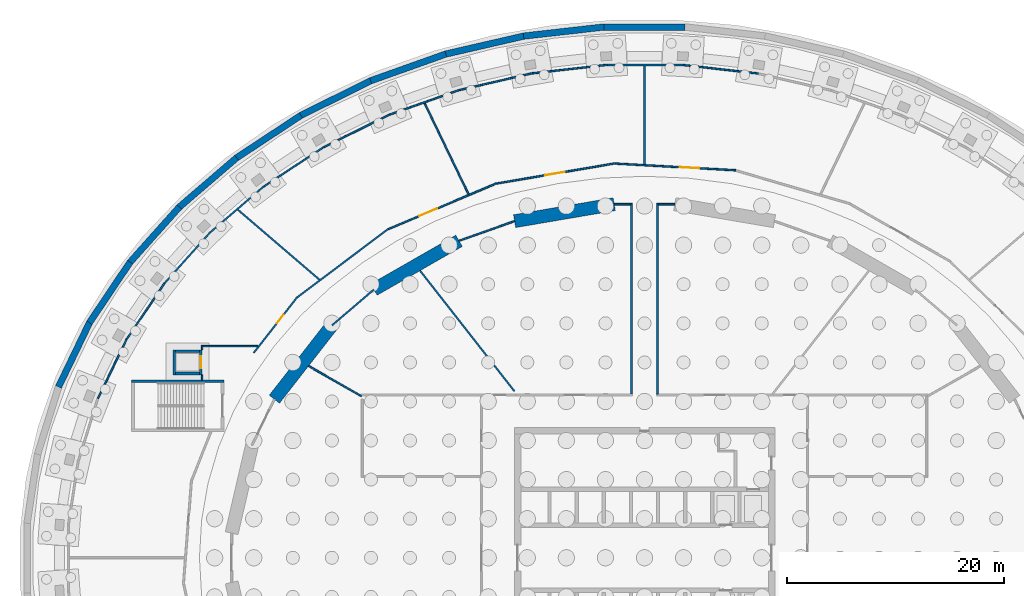
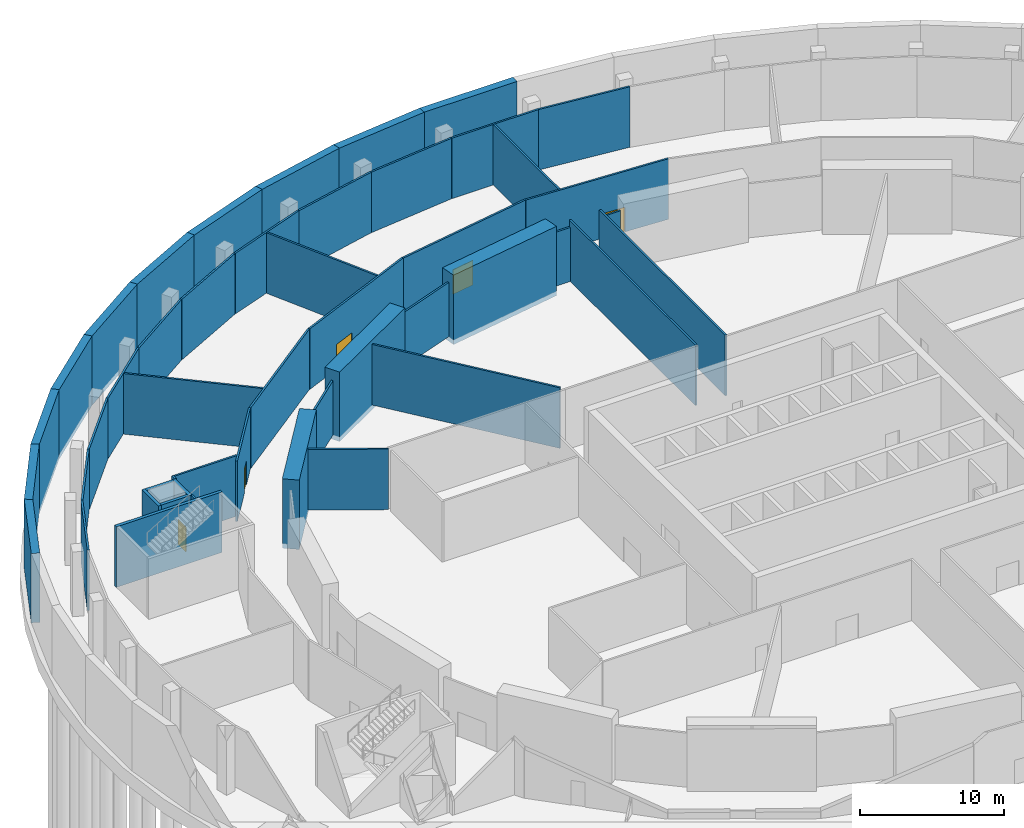
# One storey, part 11 of 15: 48 walls, 5 doors, 5 openings.
"""IFC4 building model written with IfcOpenShell, lengths in metres."""

from ifc_helpers import new_model, si_unit, direction, frame, frame_2d, origin, place, context, subcontext, project, spatial, polyline, rectangle, outline, extrude, material, layer, layer_set, type_object, element, fill, save


model = new_model("IFC4")

# Units and contexts
model_context = context("Model", 3, precision=1e-05, world=origin(), true_north=direction((0.0, 1.0)))
body_context = subcontext(model_context, "Body", "Model", "MODEL_VIEW")
ifc_project = project(units=[si_unit("LENGTHUNIT", "METRE"), si_unit("AREAUNIT", "SQUARE_METRE"), si_unit("VOLUMEUNIT", "CUBIC_METRE"), si_unit("PLANEANGLEUNIT", "RADIAN"), si_unit("MASSUNIT", "GRAM", prefix="KILO")], contexts=[model_context])

# Site, building, storey
site_placement = place(None, origin())
site = spatial("IfcSite", under=ifc_project, at=site_placement, CompositionType="ELEMENT")
building_placement = place(site_placement, origin())
building = spatial("IfcBuilding", under=site, at=building_placement, Name="Halqa Exchange Tower", CompositionType="ELEMENT")
storey_placement = place(building_placement, frame((0.0, 0.0, -15.0)))
storey = spatial("IfcBuildingStorey", under=building, at=storey_placement, Name="B3", CompositionType="ELEMENT", Elevation=-15.0)

# Walls
ifc_material_1 = material(Name="Fire-rated gypsum board")
ifc_layer_1 = layer(ifc_material_1, 0.14990234375)
ifc_layer_set_1 = layer_set([ifc_layer_1], Name="Fire-rated gypsum board")
wall_type_1 = type_object("IfcWallType", Name="Fire partition EI 60 150", PredefinedType="PARTITIONING", material=ifc_layer_set_1)
wall_1_placement = place(storey_placement, frame((-50.351806640625, 14.669189453125, 0.0), z_axis=(0.0, 0.0, 1.0), x_axis=(0.434723306584, 0.900564071409, 0.0)))
element("IfcWall", 1, at=wall_1_placement, inside=storey, type_object=wall_type_1, Name="B3-PWL-006", PredefinedType="PARTITIONING", context=body_context, shape_type="SweptSolid", body=[
    extrude(rectangle(XDim=6.09619140625, YDim=0.14990234375, at=frame_2d((3.048095703125, 0.0))), origin(), (0.0, 0.0, 1.0), 5.14990234375),
])
wall_2_placement = place(storey_placement, frame((-47.69091796875, 20.153076171875, 0.0), z_axis=(0.0, 0.0, 1.0), x_axis=(0.558812320082, 0.829294152231, 0.0)))
element("IfcWall", 2, at=wall_2_placement, inside=storey, type_object=wall_type_1, Name="B3-PWL-007", PredefinedType="PARTITIONING", context=body_context, shape_type="SweptSolid", body=[
    extrude(rectangle(XDim=6.2099609375, YDim=0.14990234375, at=frame_2d((3.10498046875, 0.0))), origin(), (0.0, 0.0, 1.0), 5.14990234375),
])
wall_3_placement = place(storey_placement, frame((-44.211181640625, 25.29541015625, 0.0), z_axis=(0.0, 0.0, 1.0), x_axis=(0.6673947824, 0.744704105283, 0.0)))
element("IfcWall", 3, at=wall_3_placement, inside=storey, type_object=wall_type_1, Name="B3-PWL-010", PredefinedType="PARTITIONING", context=body_context, shape_type="SweptSolid", body=[
    extrude(rectangle(XDim=6.338134765625, YDim=0.14990234375, at=frame_2d((3.1689453125, 0.0))), origin(), (0.0, 0.0, 1.0), 5.14990234375),
])
wall_4_placement = place(storey_placement, frame((-40.75, 16.3740234375, 0.0), z_axis=(0.0, 0.0, 1.0), x_axis=(0.0, 1.0, 0.0)))
element("IfcWall", 4, at=wall_4_placement, inside=storey, type_object=wall_type_1, Name="B3-PWL-017", PredefinedType="PARTITIONING", context=body_context, shape_type="SweptSolid", body=[
    extrude(rectangle(XDim=0.47607421875, YDim=0.14990234375, at=frame_2d((0.238037109375, 0.0))), origin(), (0.0, 0.0, 1.0), 5.14990234375),
])
wall_5_placement = place(storey_placement, frame((-40.75, 19.14990234375, 0.0), z_axis=(0.0, 0.0, 1.0), x_axis=(0.0, 1.0, 0.0)))
element("IfcWall", 5, at=wall_5_placement, inside=storey, type_object=wall_type_1, Name="B3-PWL-018", PredefinedType="PARTITIONING", context=body_context, shape_type="SweptSolid", body=[
    extrude(rectangle(XDim=0.425048828125, YDim=0.14990234375, at=frame_2d((0.21240234375, 0.0))), origin(), (0.0, 0.0, 1.0), 5.14990234375),
])
wall_6_placement = place(storey_placement, frame((-40.675048828125, 19.5, 0.0), z_axis=(0.0, 0.0, 1.0), x_axis=(1.0, 0.0, 0.0)))
element("IfcWall", 6, at=wall_6_placement, inside=storey, type_object=wall_type_1, Name="B3-PWL-019", PredefinedType="PARTITIONING", context=body_context, shape_type="SweptSolid", body=[
    extrude(rectangle(XDim=5.068115234375, YDim=0.14990234375, at=frame_2d((2.5341796875, 0.0))), origin(), (0.0, 0.0, 1.0), 5.14990234375),
])
wall_7_placement = place(storey_placement, frame((-39.97314453125, 30.00732421875, 0.0), z_axis=(0.0, 0.0, 1.0), x_axis=(0.759038455419, 0.651045791934, 0.0)))
element("IfcWall", 7, at=wall_7_placement, inside=storey, type_object=wall_type_1, Name="B3-PWL-022", PredefinedType="PARTITIONING", context=body_context, shape_type="SweptSolid", body=[
    extrude(rectangle(XDim=6.479248046875, YDim=0.14990234375, at=frame_2d((3.23974609375, 0.0))), origin(), (0.0, 0.0, 1.0), 5.14990234375),
])

# Wall, opening, door
wall_8_placement = place(storey_placement, frame((-35.99609375, 18.880859375, 0.0), z_axis=(0.0, 0.0, 1.0), x_axis=(0.615457986142, 0.788169694478, 0.0)))
wall_8 = element("IfcWall", 8, at=wall_8_placement, inside=storey, type_object=wall_type_1, Name="B3-PWL-028", PredefinedType="PARTITIONING", context=body_context, shape_type="SweptSolid", body=[
    extrude(rectangle(XDim=6.544921875, YDim=0.14990234375, at=frame_2d((3.2724609375, 0.0))), origin(), (0.0, 0.0, 1.0), 5.14990234375),
])
opening_1_placement = place(wall_8_placement, frame((3.453857421875, 0.0, 0.0)))
opening_1 = element("IfcOpeningElement", 9, at=opening_1_placement, cuts=wall_8, Name="Opening B3-27", PredefinedType="OPENING", context=body_context, shape_type="SweptSolid", body=[
    extrude(rectangle(XDim=1.0, YDim=2.10009765625, at=frame_2d((0.5, 1.050048828125))), frame((0.0, 0.0869140625, 0.0), z_axis=(0.0, -1.0, 0.0), x_axis=(1.0, 0.0, 0.0)), (0.0, 0.0, 1.0), 0.173828125),
])
ifc_material_2 = material(Name="Steel fire door leaf", Category="steel")
door_type_1 = type_object("IfcDoorType", Name="Fire door FD30S 1000 x 2100", OperationType="SINGLE_SWING_LEFT", PredefinedType="DOOR", material=ifc_material_2)
door_1_placement = place(opening_1_placement, origin())
door_1 = element("IfcDoor", 10, at=door_1_placement, inside=storey, type_object=door_type_1, Name="B3-IDR-027", OperationType="SINGLE_SWING_RIGHT", OverallHeight=2.10009765625, OverallWidth=1.0, PredefinedType="DOOR", context=body_context, shape_type="SweptSolid", body=[
    extrude(rectangle(XDim=1.0, YDim=2.10009765625, at=frame_2d((0.5, 1.050048828125))), frame((0.0, 0.02490234375, 0.0), z_axis=(0.0, -1.0, 0.0), x_axis=(1.0, 0.0, 0.0)), (0.0, 0.0, 1.0), 0.050048828125),
])
fill(opening_1, door_1)

# Walls
wall_9_placement = place(storey_placement, frame((-35.048583984375, 34.217041015625, 0.0), z_axis=(0.0, 0.0, 1.0), x_axis=(0.83553583791, 0.549435950378, 0.0)))
element("IfcWall", 11, at=wall_9_placement, inside=storey, type_object=wall_type_1, Name="B3-PWL-030", PredefinedType="PARTITIONING", context=body_context, shape_type="SweptSolid", body=[
    extrude(rectangle(XDim=6.6064453125, YDim=0.14990234375, at=frame_2d((3.30322265625, 0.0))), origin(), (0.0, 0.0, 1.0), 5.14990234375),
])
wall_10_placement = place(storey_placement, frame((-31.947265625, 24.022216796875, 0.0), z_axis=(0.0, 0.0, 1.0), x_axis=(0.799194171191, 0.601072937949, 0.0)))
element("IfcWall", 12, at=wall_10_placement, inside=storey, type_object=wall_type_1, Name="B3-PWL-032", PredefinedType="PARTITIONING", context=body_context, shape_type="SweptSolid", body=[
    extrude(rectangle(XDim=10.443603515625, YDim=0.14990234375, at=frame_2d((5.2216796875, 0.0))), origin(), (0.0, 0.0, 1.0), 5.14990234375),
])
wall_11_placement = place(storey_placement, frame((-29.947265625, 25.619140625, 0.0), z_axis=(0.0, 0.0, 1.0), x_axis=(-0.759265306208, 0.650781218836, 0.0)))
element("IfcWall", 13, at=wall_11_placement, inside=storey, type_object=wall_type_1, Name="B3-PWL-034", PredefinedType="PARTITIONING", context=body_context, shape_type="SweptSolid", body=[
    extrude(outline(polyline([(-0.0166015625, -0.074951171875), (9.888427734375, -0.074951171875), (9.911376953125, 0.074951171875), (0.0166015625, 0.074951171875), (-0.0166015625, -0.074951171875)])), origin(), (0.0, 0.0, 1.0), 5.14990234375),
])
wall_12_placement = place(storey_placement, frame((-29.5234375, 37.837890625, 0.0), z_axis=(0.0, 0.0, 1.0), x_axis=(0.895909442692, 0.444236727991, 0.0)))
element("IfcWall", 14, at=wall_12_placement, inside=storey, type_object=wall_type_1, Name="B3-PWL-036", PredefinedType="PARTITIONING", context=body_context, shape_type="SweptSolid", body=[
    extrude(rectangle(XDim=6.730712890625, YDim=0.14990234375, at=frame_2d((3.365234375, 0.0))), origin(), (0.0, 0.0, 1.0), 5.14990234375),
])
wall_13_placement = place(storey_placement, frame((-26.07421875, 14.88232421875, 0.0), z_axis=(0.0, 0.0, 1.0), x_axis=(-0.868133416031, 0.496330909746, 0.0)))
element("IfcWall", 15, at=wall_13_placement, inside=storey, type_object=wall_type_1, Name="B3-PWL-043", PredefinedType="PARTITIONING", context=body_context, shape_type="SweptSolid", body=[
    extrude(outline(polyline([(0.0, -0.074951171875), (5.604248046875, -0.074951171875), (5.625732421875, 0.074951171875), (0.0, 0.074951171875), (0.0, -0.074951171875)])), origin(), (0.0, 0.0, 1.0), 5.14990234375),
])
wall_14_placement = place(storey_placement, frame((-24.931884765625, 24.70849609375, 0.0), z_axis=(0.0, 0.0, 1.0), x_axis=(-0.760084552743, -0.649824185978, 0.0)))
element("IfcWall", 16, at=wall_14_placement, inside=storey, type_object=wall_type_1, Name="B3-PWL-045", PredefinedType="PARTITIONING", context=body_context, shape_type="SweptSolid", body=[
    extrude(outline(polyline([(-0.01416015625, -0.074951171875), (5.09033203125, -0.074951171875), (5.0595703125, 0.074951171875), (0.01416015625, 0.074951171875), (-0.01416015625, -0.074951171875)])), origin(), (0.0, 0.0, 1.0), 4.60009765625),
])

# Wall, opening, door
wall_15_placement = place(storey_placement, frame((-23.58642578125, 30.279541015625, 0.0), z_axis=(0.0, 0.0, 1.0), x_axis=(0.920903415875, 0.389790839591, 0.0)))
wall_15 = element("IfcWall", 17, at=wall_15_placement, inside=storey, type_object=wall_type_1, Name="B3-PWL-046", PredefinedType="PARTITIONING", context=body_context, shape_type="SweptSolid", body=[
    extrude(rectangle(XDim=10.822998046875, YDim=0.14990234375, at=frame_2d((5.41162109375, 0.0))), origin(), (0.0, 0.0, 1.0), 5.14990234375),
])
opening_2_placement = place(wall_15_placement, frame((3.09130859375, 0.0, 0.0)))
opening_2 = element("IfcOpeningElement", 18, at=opening_2_placement, cuts=wall_15, Name="Opening B3-26", PredefinedType="OPENING", context=body_context, shape_type="SweptSolid", body=[
    extrude(rectangle(XDim=1.800048828125, YDim=2.10009765625, at=frame_2d((0.89990234375, 1.050048828125))), frame((0.0, 0.0869140625, 0.0), z_axis=(0.0, -1.0, 0.0), x_axis=(1.0, 0.0, 0.0)), (0.0, 0.0, 1.0), 0.173828125),
])
door_type_2 = type_object("IfcDoorType", Name="Fire door FD30S double 1800 x 2100", OperationType="DOUBLE_DOOR_SINGLE_SWING", PredefinedType="DOOR", material=ifc_material_2)
door_2_placement = place(opening_2_placement, frame((1.800048828125, 0.0, 0.0), z_axis=(0.0, 0.0, 1.0), x_axis=(-1.0, 0.0, 0.0)))
door_2 = element("IfcDoor", 19, at=door_2_placement, inside=storey, type_object=door_type_2, Name="B3-IDR-026", OperationType="DOUBLE_DOOR_SINGLE_SWING", OverallHeight=2.10009765625, OverallWidth=1.800048828125, PredefinedType="DOOR", context=body_context, shape_type="SweptSolid", body=[
    extrude(rectangle(XDim=1.800048828125, YDim=2.10009765625, at=frame_2d((0.89990234375, 1.050048828125))), frame((0.0, 0.02490234375, 0.0), z_axis=(0.0, -1.0, 0.0), x_axis=(1.0, 0.0, 0.0)), (0.0, 0.0, 1.0), 0.050048828125),
])
fill(opening_2, door_2)

# Walls
wall_16_placement = place(storey_placement, frame((-23.489501953125, 40.818603515625, 0.0), z_axis=(0.0, 0.0, 1.0), x_axis=(0.942678523295, 0.333702265079, 0.0)))
element("IfcWall", 20, at=wall_16_placement, inside=storey, type_object=wall_type_1, Name="B3-PWL-049", PredefinedType="PARTITIONING", context=body_context, shape_type="SweptSolid", body=[
    extrude(rectangle(XDim=6.831787109375, YDim=0.14990234375, at=frame_2d((3.416015625, 0.0))), origin(), (0.0, 0.0, 1.0), 5.14990234375),
])
wall_17_placement = place(storey_placement, frame((-20.679931640625, 26.449951171875, 0.0), z_axis=(0.0, 0.0, 1.0), x_axis=(0.616465586388, -0.787381851962, 0.0)))
element("IfcWall", 21, at=wall_17_placement, inside=storey, type_object=wall_type_1, Name="B3-PWL-051", PredefinedType="PARTITIONING", context=body_context, shape_type="SweptSolid", body=[
    extrude(outline(polyline([(-0.010986328125, -0.074951171875), (14.099853515625, -0.074951171875), (14.099853515625, 0.074951171875), (0.010986328125, 0.074951171875), (-0.010986328125, -0.074951171875)])), origin(), (0.0, 0.0, 1.0), 5.14990234375),
])
wall_18_placement = place(storey_placement, frame((-17.046630859375, 43.089111328125, 0.0), z_axis=(0.0, 0.0, 1.0), x_axis=(0.974487031509, 0.224443813504, 0.0)))
element("IfcWall", 22, at=wall_18_placement, inside=storey, type_object=wall_type_1, Name="B3-PWL-054", PredefinedType="PARTITIONING", context=body_context, shape_type="SweptSolid", body=[
    extrude(rectangle(XDim=6.90625, YDim=0.14990234375, at=frame_2d((3.453125, 0.0))), origin(), (0.0, 0.0, 1.0), 5.14990234375),
])
wall_19_placement = place(storey_placement, frame((-16.201904296875, 33.485595703125, 0.0), z_axis=(0.0, 0.0, 1.0), x_axis=(-0.435764801027, 0.900060574731, 0.0)))
element("IfcWall", 23, at=wall_19_placement, inside=storey, type_object=wall_type_1, Name="B3-PWL-057", PredefinedType="PARTITIONING", context=body_context, shape_type="SweptSolid", body=[
    extrude(outline(polyline([(-0.00390625, -0.074951171875), (9.31884765625, -0.074951171875), (9.33544921875, 0.074951171875), (0.00390625, 0.074951171875), (-0.00390625, -0.074951171875)])), origin(), (0.0, 0.0, 1.0), 5.14990234375),
])

# Wall, opening, door
wall_20_placement = place(storey_placement, frame((-13.61083984375, 34.476806640625, 0.0), z_axis=(0.0, 0.0, 1.0), x_axis=(0.985800134635, 0.16792288276, 0.0)))
wall_20 = element("IfcWall", 24, at=wall_20_placement, inside=storey, type_object=wall_type_1, Name="B3-PWL-060", PredefinedType="PARTITIONING", context=body_context, shape_type="SweptSolid", body=[
    extrude(rectangle(XDim=11.07421875, YDim=0.14990234375, at=frame_2d((5.537109375, 0.0))), origin(), (0.0, 0.0, 1.0), 5.14990234375),
])
opening_3_placement = place(wall_20_placement, frame((4.5380859375, 0.0, 0.0)))
opening_3 = element("IfcOpeningElement", 25, at=opening_3_placement, cuts=wall_20, Name="Opening B3-25", PredefinedType="OPENING", context=body_context, shape_type="SweptSolid", body=[
    extrude(rectangle(XDim=1.800048828125, YDim=2.10009765625, at=frame_2d((0.89990234375, 1.050048828125))), frame((0.0, 0.0869140625, 0.0), z_axis=(0.0, -1.0, 0.0), x_axis=(1.0, 0.0, 0.0)), (0.0, 0.0, 1.0), 0.173828125),
])
door_3_placement = place(opening_3_placement, frame((1.800048828125, 0.0, 0.0), z_axis=(0.0, 0.0, 1.0), x_axis=(-1.0, 0.0, 0.0)))
door_3 = element("IfcDoor", 26, at=door_3_placement, inside=storey, type_object=door_type_2, Name="B3-IDR-025", OperationType="DOUBLE_DOOR_SINGLE_SWING", OverallHeight=2.10009765625, OverallWidth=1.800048828125, PredefinedType="DOOR", context=body_context, shape_type="SweptSolid", body=[
    extrude(rectangle(XDim=1.800048828125, YDim=2.10009765625, at=frame_2d((0.89990234375, 1.050048828125))), frame((0.0, 0.02490234375, 0.0), z_axis=(0.0, -1.0, 0.0), x_axis=(1.0, 0.0, 0.0)), (0.0, 0.0, 1.0), 0.050048828125),
])
fill(opening_3, door_3)

# Walls
wall_21_placement = place(storey_placement, frame((-11.966796875, 31.01123046875, 0.0), z_axis=(0.0, 0.0, 1.0), x_axis=(-0.942814385805, -0.333318217204, 0.0)))
element("IfcWall", 27, at=wall_21_placement, inside=storey, type_object=wall_type_1, Name="B3-PWL-061", PredefinedType="PARTITIONING", context=body_context, shape_type="SweptSolid", body=[
    extrude(outline(polyline([(-0.012939453125, -0.074951171875), (5.448486328125, -0.074951171875), (5.421142578125, 0.074951171875), (0.012939453125, 0.074951171875), (-0.012939453125, -0.074951171875)])), origin(), (0.0, 0.0, 1.0), 4.60009765625),
])
wall_22_placement = place(storey_placement, frame((-10.31494140625, 44.629638671875, 0.0), z_axis=(0.0, 0.0, 1.0), x_axis=(0.993688681101, 0.112173103067, 0.0)))
element("IfcWall", 28, at=wall_22_placement, inside=storey, type_object=wall_type_1, Name="B3-PWL-064", PredefinedType="PARTITIONING", context=body_context, shape_type="SweptSolid", body=[
    extrude(rectangle(XDim=6.953857421875, YDim=0.14990234375, at=frame_2d((3.47705078125, 0.0))), origin(), (0.0, 0.0, 1.0), 5.14990234375),
])
wall_23_placement = place(storey_placement, frame((-3.404541015625, 45.39990234375, 0.0), z_axis=(0.0, 0.0, 1.0), x_axis=(1.0, 0.0, 0.0)))
element("IfcWall", 29, at=wall_23_placement, inside=storey, type_object=wall_type_1, Name="B3-PWL-068", PredefinedType="PARTITIONING", context=body_context, shape_type="SweptSolid", body=[
    extrude(rectangle(XDim=6.97998046875, YDim=0.14990234375, at=frame_2d((3.489990234375, 0.0))), origin(), (0.0, 0.0, 1.0), 5.14990234375),
])

# Wall, opening, door
wall_24_placement = place(storey_placement, frame((-2.691162109375, 36.314453125, 0.0), z_axis=(0.0, 0.0, 1.0), x_axis=(0.998446820284, -0.055713078034, 0.0)))
wall_24 = element("IfcWall", 30, at=wall_24_placement, inside=storey, type_object=wall_type_1, Name="B3-PWL-070", PredefinedType="PARTITIONING", context=body_context, shape_type="SweptSolid", body=[
    extrude(rectangle(XDim=11.126220703125, YDim=0.14990234375, at=frame_2d((5.56298828125, 0.0))), origin(), (0.0, 0.0, 1.0), 5.14990234375),
])
opening_4_placement = place(wall_24_placement, frame((5.94677734375, 0.0, 0.0)))
opening_4 = element("IfcOpeningElement", 31, at=opening_4_placement, cuts=wall_24, Name="Opening B3-24", PredefinedType="OPENING", context=body_context, shape_type="SweptSolid", body=[
    extrude(rectangle(XDim=1.800048828125, YDim=2.10009765625, at=frame_2d((0.89990234375, 1.050048828125))), frame((0.0, 0.0869140625, 0.0), z_axis=(0.0, -1.0, 0.0), x_axis=(1.0, 0.0, 0.0)), (0.0, 0.0, 1.0), 0.173828125),
])
door_4_placement = place(opening_4_placement, origin())
door_4 = element("IfcDoor", 32, at=door_4_placement, inside=storey, type_object=door_type_2, Name="B3-IDR-024", OperationType="DOUBLE_DOOR_SINGLE_SWING", OverallHeight=2.10009765625, OverallWidth=1.800048828125, PredefinedType="DOOR", context=body_context, shape_type="SweptSolid", body=[
    extrude(rectangle(XDim=1.800048828125, YDim=2.10009765625, at=frame_2d((0.89990234375, 1.050048828125))), frame((0.0, 0.02490234375, 0.0), z_axis=(0.0, -1.0, 0.0), x_axis=(1.0, 0.0, 0.0)), (0.0, 0.0, 1.0), 0.050048828125),
])
fill(opening_4, door_4)

# Walls
wall_25_placement = place(storey_placement, frame((-1.199951171875, 15.074951171875, 0.0), z_axis=(0.0, 0.0, 1.0), x_axis=(0.0, 1.0, 0.0)))
element("IfcWall", 33, at=wall_25_placement, inside=storey, type_object=wall_type_1, Name="B3-PWL-073", PredefinedType="PARTITIONING", context=body_context, shape_type="SweptSolid", body=[
    extrude(rectangle(XDim=17.570068359375, YDim=0.14990234375, at=frame_2d((8.78515625, 0.0))), origin(), (0.0, 0.0, 1.0), 5.14990234375),
])
wall_26_placement = place(storey_placement, frame((-1.27490234375, 32.570068359375, 0.0), z_axis=(0.0, 0.0, 1.0), x_axis=(-1.0, 0.0, 0.0)))
element("IfcWall", 34, at=wall_26_placement, inside=storey, type_object=wall_type_1, Name="B3-PWL-074", PredefinedType="PARTITIONING", context=body_context, shape_type="SweptSolid", body=[
    extrude(outline(polyline([(0.0, -0.074951171875), (1.52587890625, -0.074951171875), (1.50048828125, 0.074951171875), (0.0, 0.074951171875), (0.0, -0.074951171875)])), origin(), (0.0, 0.0, 1.0), 4.60009765625),
])
wall_27_placement = place(storey_placement, frame((0.0, 36.238525390625, 0.0), z_axis=(0.0, 0.0, 1.0), x_axis=(0.0, 1.0, 0.0)))
element("IfcWall", 35, at=wall_27_placement, inside=storey, type_object=wall_type_1, Name="B3-PWL-076", PredefinedType="PARTITIONING", context=body_context, shape_type="SweptSolid", body=[
    extrude(outline(polyline([(-0.004150390625, -0.074951171875), (9.08642578125, -0.074951171875), (9.08642578125, 0.074951171875), (0.004150390625, 0.074951171875), (-0.004150390625, -0.074951171875)])), origin(), (0.0, 0.0, 1.0), 5.14990234375),
])
wall_28_placement = place(storey_placement, frame((1.199951171875, 32.64501953125, 0.0), z_axis=(0.0, 0.0, 1.0), x_axis=(0.0, -1.0, 0.0)))
element("IfcWall", 36, at=wall_28_placement, inside=storey, type_object=wall_type_1, Name="B3-PWL-081", PredefinedType="PARTITIONING", context=body_context, shape_type="SweptSolid", body=[
    extrude(rectangle(XDim=17.570068359375, YDim=0.14990234375, at=frame_2d((8.78515625, 0.0))), origin(), (0.0, 0.0, 1.0), 5.14990234375),
])
wall_29_placement = place(storey_placement, frame((2.7880859375, 32.570068359375, 0.0), z_axis=(0.0, 0.0, 1.0), x_axis=(-1.0, 0.0, 0.0)))
element("IfcWall", 37, at=wall_29_placement, inside=storey, type_object=wall_type_1, Name="B3-PWL-082", PredefinedType="PARTITIONING", context=body_context, shape_type="SweptSolid", body=[
    extrude(outline(polyline([(-0.0126953125, -0.074951171875), (1.51318359375, -0.074951171875), (1.51318359375, 0.074951171875), (0.0126953125, 0.074951171875), (-0.0126953125, -0.074951171875)])), origin(), (0.0, 0.0, 1.0), 4.60009765625),
])
wall_30_placement = place(storey_placement, frame((3.574951171875, 45.390380859375, 0.0), z_axis=(0.0, 0.0, 1.0), x_axis=(0.993689122847, -0.112169189779, 0.0)))
element("IfcWall", 38, at=wall_30_placement, inside=storey, type_object=wall_type_1, Name="B3-PWL-083", PredefinedType="PARTITIONING", context=body_context, shape_type="SweptSolid", body=[
    extrude(rectangle(XDim=6.9541015625, YDim=0.14990234375, at=frame_2d((3.47705078125, 0.0))), origin(), (0.0, 0.0, 1.0), 5.14990234375),
])
ifc_material_3 = material(Name="Gypsum board")
ifc_layer_2 = layer(ifc_material_3, 0.25)
ifc_layer_set_2 = layer_set([ifc_layer_2], Name="Gypsum board")
wall_type_2 = type_object("IfcWallType", Name="Penthouse riser wall 250 gypsum", PredefinedType="PARTITIONING", material=ifc_layer_set_2)
wall_31_placement = place(storey_placement, frame((-43.324951171875, 16.85009765625, 0.0), z_axis=(0.0, 0.0, 1.0), x_axis=(0.0, 1.0, 0.0)))
element("IfcWall", 39, at=wall_31_placement, inside=storey, type_object=wall_type_2, Name="Station lift AL3 wall west", PredefinedType="PARTITIONING", context=body_context, shape_type="SweptSolid", body=[
    extrude(rectangle(XDim=2.2998046875, YDim=0.25, at=frame_2d((1.14990234375, 0.0))), origin(), (0.0, 0.0, 1.0), 5.14990234375),
])

# Wall, opening, door
wall_32_placement = place(storey_placement, frame((-40.875, 16.85009765625, 0.0), z_axis=(0.0, 0.0, 1.0), x_axis=(0.0, 1.0, 0.0)))
wall_32 = element("IfcWall", 40, at=wall_32_placement, inside=storey, type_object=wall_type_2, Name="Station lift AL3 wall east", PredefinedType="PARTITIONING", context=body_context, shape_type="SweptSolid", body=[
    extrude(rectangle(XDim=2.2998046875, YDim=0.25, at=frame_2d((1.14990234375, 0.0))), origin(), (0.0, 0.0, 1.0), 5.14990234375),
])
opening_5_placement = place(wall_32_placement, frame((0.60009765625, 0.0, 0.0)))
opening_5 = element("IfcOpeningElement", 41, at=opening_5_placement, cuts=wall_32, Name="Opening LD-AL3-B3", PredefinedType="OPENING", context=body_context, shape_type="SweptSolid", body=[
    extrude(rectangle(XDim=1.10009765625, YDim=2.10009765625, at=frame_2d((0.550048828125, 1.050048828125))), frame((0.0, 0.136962890625, 0.0), z_axis=(0.0, -1.0, 0.0), x_axis=(1.0, 0.0, 0.0)), (0.0, 0.0, 1.0), 0.27392578125),
])
ifc_material_4 = material(Name="Stainless steel", Category="steel")
door_type_3 = type_object("IfcDoorType", Name="Lift landing door 1100 x 2100", OperationType="SLIDING_TO_LEFT", PredefinedType="DOOR", material=ifc_material_4)
door_5_placement = place(opening_5_placement, origin())
door_5 = element("IfcDoor", 42, at=door_5_placement, inside=storey, type_object=door_type_3, Name="Lift landing door AL3", OperationType="SLIDING_TO_LEFT", OverallHeight=2.10009765625, OverallWidth=1.10009765625, PredefinedType="DOOR", context=body_context, shape_type="SweptSolid", body=[
    extrude(rectangle(XDim=1.10009765625, YDim=2.10009765625, at=frame_2d((0.550048828125, 1.050048828125))), frame((0.0, 0.02490234375, 0.0), z_axis=(0.0, -1.0, 0.0), x_axis=(1.0, 0.0, 0.0)), (0.0, 0.0, 1.0), 0.050048828125),
])
fill(opening_5, door_5)

# Walls
for number, where, z_axis, x_axis, name in (
    (43, (-43.199951171875, 19.02490234375, 0.0), (0.0, 0.0, 1.0), (1.0, 0.0, 0.0), "Station lift AL3 wall north"),
    (44, (-43.199951171875, 16.97509765625, 0.0), (0.0, 0.0, 1.0), (1.0, 0.0, 0.0), "Station lift AL3 wall south"),
):
    element("IfcWall", number, at=place(storey_placement, frame(where, z_axis=z_axis, x_axis=x_axis)), inside=storey, type_object=wall_type_2, Name=name, PredefinedType="PARTITIONING", context=body_context, shape_type="SweptSolid", body=[
        extrude(rectangle(XDim=2.199951171875, YDim=0.25, at=frame_2d((1.10009765625, 0.0))), origin(), (0.0, 0.0, 1.0), 5.14990234375),
    ])
ifc_material_5 = material(Name="Concrete C40/50", Category="concrete")
ifc_layer_3 = layer(ifc_material_5, 0.60009765625)
ifc_layer_set_3 = layer_set([ifc_layer_3], Name="Concrete C40/50")
wall_type_3 = type_object("IfcWallType", Name="RC basement wall 600", PredefinedType="SOLIDWALL", material=ifc_layer_set_3)
wall_33_placement = place(storey_placement, frame((3.744873046875, 48.89501953125, -0.39990234375), z_axis=(0.0, 0.0, 1.0), x_axis=(-1.0, 0.0, 0.0)))
element("IfcWall", 45, at=wall_33_placement, inside=storey, type_object=wall_type_3, Name="Basement retaining wall", PredefinedType="SOLIDWALL", context=body_context, shape_type="SweptSolid", body=[
    extrude(rectangle(XDim=7.48974609375, YDim=0.60009765625, at=frame_2d((3.744873046875, 0.0))), origin(), (0.0, 0.0, 1.0), 5.89990234375),
])
wall_34_placement = place(storey_placement, frame((-3.711181640625, 48.89697265625, -0.39990234375), z_axis=(0.0, 0.0, 1.0), x_axis=(-0.993658203282, -0.112442763445, 0.0)))
element("IfcWall", 46, at=wall_34_placement, inside=storey, type_object=wall_type_3, Name="Basement retaining wall", PredefinedType="SOLIDWALL", context=body_context, shape_type="SweptSolid", body=[
    extrude(rectangle(XDim=7.473388671875, YDim=0.60009765625, at=frame_2d((3.73681640625, 0.0))), origin(), (0.0, 0.0, 1.0), 5.89990234375),
])
wall_35_placement = place(storey_placement, frame((-11.103515625, 48.062255859375, -0.39990234375), z_axis=(0.0, 0.0, 1.0), x_axis=(-0.974485322097, -0.224451235276, 0.0)))
element("IfcWall", 47, at=wall_35_placement, inside=storey, type_object=wall_type_3, Name="Basement retaining wall", PredefinedType="SOLIDWALL", context=body_context, shape_type="SweptSolid", body=[
    extrude(rectangle(XDim=7.4248046875, YDim=0.60009765625, at=frame_2d((3.71240234375, 0.0))), origin(), (0.0, 0.0, 1.0), 5.89990234375),
])
wall_36_placement = place(storey_placement, frame((-18.3056640625, 46.405517578125, -0.39990234375), z_axis=(0.0, 0.0, 1.0), x_axis=(-0.942060991409, -0.33544163198, 0.0)))
element("IfcWall", 48, at=wall_36_placement, inside=storey, type_object=wall_type_3, Name="Basement retaining wall", PredefinedType="SOLIDWALL", context=body_context, shape_type="SweptSolid", body=[
    extrude(rectangle(XDim=7.347412109375, YDim=0.60009765625, at=frame_2d((3.673828125, 0.0))), origin(), (0.0, 0.0, 1.0), 5.89990234375),
])
wall_37_placement = place(storey_placement, frame((-25.194580078125, 43.95458984375, -0.39990234375), z_axis=(0.0, 0.0, 1.0), x_axis=(-0.895750986496, -0.44455614965, 0.0)))
element("IfcWall", 49, at=wall_37_placement, inside=storey, type_object=wall_type_3, Name="Basement retaining wall", PredefinedType="SOLIDWALL", context=body_context, shape_type="SweptSolid", body=[
    extrude(rectangle(XDim=7.244873046875, YDim=0.60009765625, at=frame_2d((3.62255859375, 0.0))), origin(), (0.0, 0.0, 1.0), 5.89990234375),
])
wall_38_placement = place(storey_placement, frame((-31.652099609375, 40.752197265625, -0.39990234375), z_axis=(0.0, 0.0, 1.0), x_axis=(-0.834745196239, -0.550636411215, 0.0)))
element("IfcWall", 50, at=wall_38_placement, inside=storey, type_object=wall_type_3, Name="Basement retaining wall", PredefinedType="SOLIDWALL", context=body_context, shape_type="SweptSolid", body=[
    extrude(rectangle(XDim=7.123779296875, YDim=0.60009765625, at=frame_2d((3.56201171875, 0.0))), origin(), (0.0, 0.0, 1.0), 5.89990234375),
])
wall_39_placement = place(storey_placement, frame((-37.568115234375, 36.8525390625, -0.39990234375), z_axis=(0.0, 0.0, 1.0), x_axis=(-0.758319142722, -0.65188348482, 0.0)))
element("IfcWall", 51, at=wall_39_placement, inside=storey, type_object=wall_type_3, Name="Basement retaining wall", PredefinedType="SOLIDWALL", context=body_context, shape_type="SweptSolid", body=[
    extrude(rectangle(XDim=6.991455078125, YDim=0.60009765625, at=frame_2d((3.49560546875, 0.0))), origin(), (0.0, 0.0, 1.0), 5.89990234375),
])
wall_40_placement = place(storey_placement, frame((-42.841796875, 32.32275390625, -0.39990234375), z_axis=(0.0, 0.0, 1.0), x_axis=(-0.665894053378, -0.74604631872, 0.0)))
element("IfcWall", 52, at=wall_40_placement, inside=storey, type_object=wall_type_3, Name="Basement retaining wall", PredefinedType="SOLIDWALL", context=body_context, shape_type="SweptSolid", body=[
    extrude(rectangle(XDim=6.8564453125, YDim=0.60009765625, at=frame_2d((3.42822265625, 0.0))), origin(), (0.0, 0.0, 1.0), 5.89990234375),
])
wall_41_placement = place(storey_placement, frame((-47.38232421875, 27.239990234375, -0.39990234375), z_axis=(0.0, 0.0, 1.0), x_axis=(-0.557518861869, -0.830164272093, 0.0)))
element("IfcWall", 53, at=wall_41_placement, inside=storey, type_object=wall_type_3, Name="Basement retaining wall", PredefinedType="SOLIDWALL", context=body_context, shape_type="SweptSolid", body=[
    extrude(rectangle(XDim=6.728515625, YDim=0.60009765625, at=frame_2d((3.3642578125, 0.0))), origin(), (0.0, 0.0, 1.0), 5.89990234375),
])
wall_42_placement = place(storey_placement, frame((-51.1123046875, 21.69140625, -0.39990234375), z_axis=(0.0, 0.0, 1.0), x_axis=(-0.434104041315, -0.900862742772, 0.0)))
element("IfcWall", 54, at=wall_42_placement, inside=storey, type_object=wall_type_3, Name="Basement retaining wall", PredefinedType="SOLIDWALL", context=body_context, shape_type="SweptSolid", body=[
    extrude(rectangle(XDim=6.61669921875, YDim=0.60009765625, at=frame_2d((3.308349609375, 0.0))), origin(), (0.0, 0.0, 1.0), 5.89990234375),
])
ifc_material_6 = material(Name="Concrete C80/95", Category="concrete")
ifc_layer_4 = layer(ifc_material_6, 1.199951171875)
ifc_layer_set_4 = layer_set([ifc_layer_4], Name="Concrete C80/95")
wall_type_4 = type_object("IfcWallType", Name="RC ring pier 1200 C80/95", PredefinedType="SHEAR", material=ifc_layer_set_4)
wall_43_placement = place(storey_placement, frame((-2.7880859375, 32.57421875, -0.39990234375), z_axis=(0.0, 0.0, 1.0), x_axis=(-0.985776286846, -0.168062822456, 0.0)))
element("IfcWall", 55, at=wall_43_placement, inside=storey, type_object=wall_type_4, Name="Ring pier 5", PredefinedType="SHEAR", context=body_context, shape_type="SweptSolid", body=[
    extrude(rectangle(XDim=9.3115234375, YDim=1.199951171875, at=frame_2d((4.65576171875, 0.0))), origin(), (0.0, 0.0, 1.0), 5.89990234375),
])
wall_44_placement = place(storey_placement, frame((-17.088623046875, 29.197509765625, -0.39990234375), z_axis=(0.0, 0.0, 1.0), x_axis=(-0.867760656864, -0.496982336103, 0.0)))
element("IfcWall", 56, at=wall_44_placement, inside=storey, type_object=wall_type_4, Name="Ring pier 6", PredefinedType="SHEAR", context=body_context, shape_type="SweptSolid", body=[
    extrude(rectangle(XDim=9.037841796875, YDim=1.199951171875, at=frame_2d((4.51904296875, 0.0))), origin(), (0.0, 0.0, 1.0), 5.89990234375),
])
wall_45_placement = place(storey_placement, frame((-28.790283203125, 21.412353515625, -0.39990234375), z_axis=(0.0, 0.0, 1.0), x_axis=(-0.614825322247, -0.788663314174, 0.0)))
element("IfcWall", 57, at=wall_45_placement, inside=storey, type_object=wall_type_4, Name="Ring pier 7", PredefinedType="SHEAR", context=body_context, shape_type="SweptSolid", body=[
    extrude(rectangle(XDim=8.631591796875, YDim=1.199951171875, at=frame_2d((4.31591796875, 0.0))), origin(), (0.0, 0.0, 1.0), 5.89990234375),
])
ifc_material_7 = material(Name="Concrete C30/37", Category="concrete")
ifc_layer_5 = layer(ifc_material_7, 0.25)
ifc_layer_set_5 = layer_set([ifc_layer_5], Name="Concrete C30/37")
wall_type_5 = type_object("IfcWallType", Name="RC stair wall 250 C30/37", PredefinedType="SHEAR", material=ifc_layer_set_5)
wall_46_placement = place(storey_placement, frame((-47.25, 16.25, 0.0), z_axis=(0.0, 0.0, 1.0), x_axis=(1.0, 0.0, 0.0)))
element("IfcWall", 58, at=wall_46_placement, inside=storey, type_object=wall_type_5, Name="Stair SS3 wall north", PredefinedType="SHEAR", context=body_context, shape_type="SweptSolid", body=[
    extrude(rectangle(XDim=8.5, YDim=0.25, at=frame_2d((4.25, 0.0))), origin(), (0.0, 0.0, 1.0), 5.14990234375),
])

save(model, "model.ifc")
